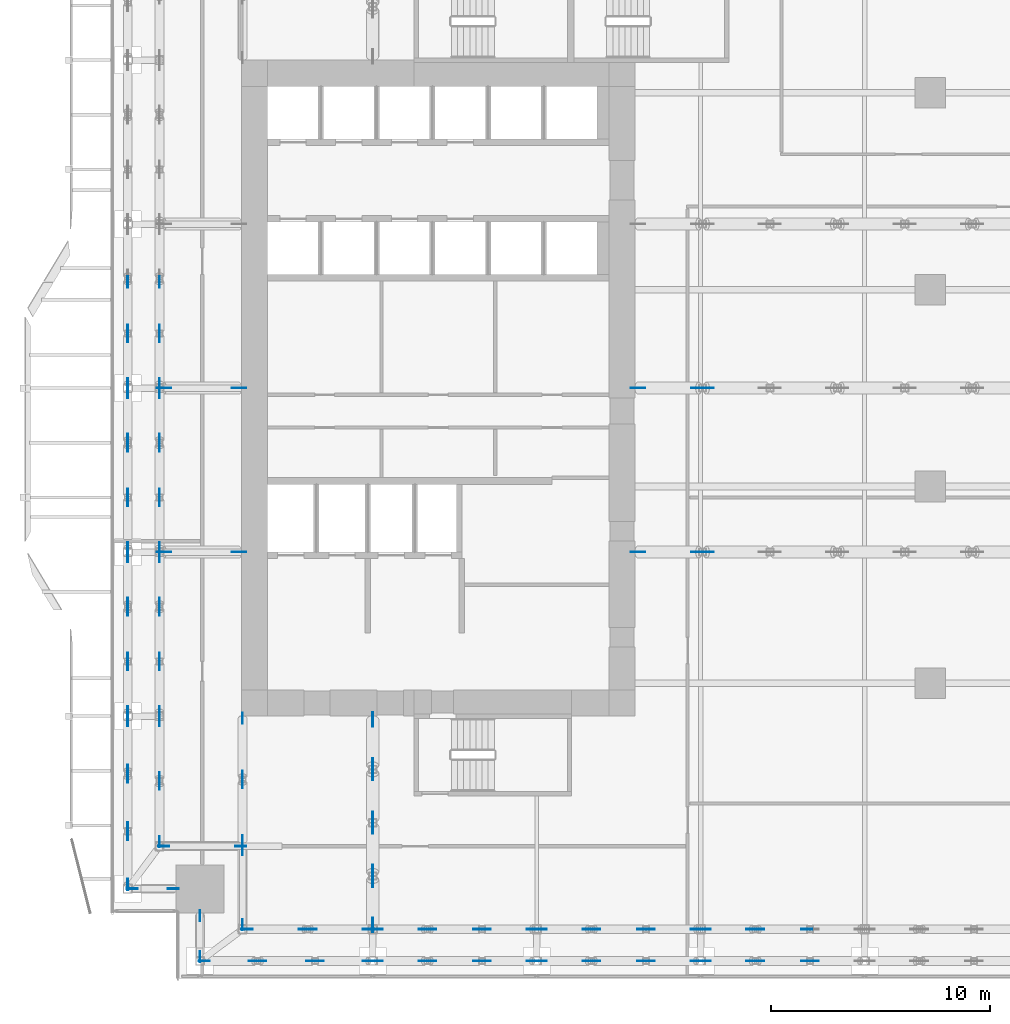
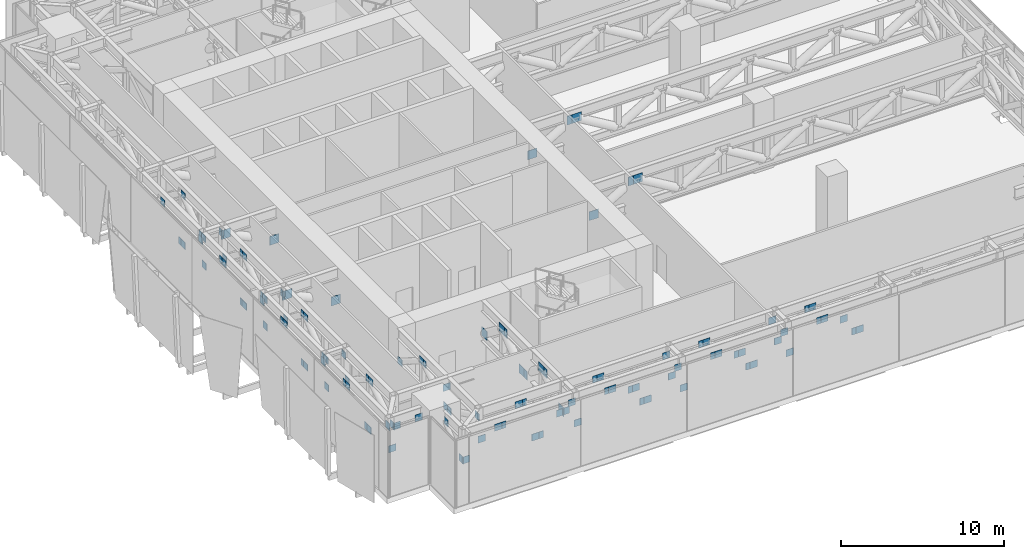
# One storey, part 34 of 39: 115 discrete accessories.
"""IFC4 building model written with IfcOpenShell, lengths in metres."""

from ifc_helpers import new_model, si_unit, direction, frame, origin, origin_2d, place, context, subcontext, project, spatial, rectangle, extrude, source, transform, mapped, material, layer, layer_set, type_object, element, save


model = new_model("IFC4")

# Units and contexts
model_context = context("Model", 3, precision=1e-05, world=origin(), true_north=direction((0.0, 1.0)))
body_context = subcontext(model_context, "Body", "Model", "MODEL_VIEW")
ifc_project = project(units=[si_unit("LENGTHUNIT", "METRE"), si_unit("AREAUNIT", "SQUARE_METRE"), si_unit("VOLUMEUNIT", "CUBIC_METRE"), si_unit("PLANEANGLEUNIT", "RADIAN"), si_unit("MASSUNIT", "GRAM", prefix="KILO")], contexts=[model_context])

# Site, building, storey
site_placement = place(None, origin())
site = spatial("IfcSite", under=ifc_project, at=site_placement, CompositionType="ELEMENT")
building_placement = place(site_placement, origin())
building = spatial("IfcBuilding", under=site, at=building_placement, Name="Khomas Fold Tower", CompositionType="ELEMENT")
storey_placement = place(building_placement, frame((0.0, 0.0, 96.0)))
storey = spatial("IfcBuildingStorey", under=building, at=storey_placement, Name="L20", CompositionType="ELEMENT", Elevation=96.0)

# Discrete accessories
ifc_material_1 = material(Name="Steel S355", Category="steel")
ifc_layer_1 = layer(ifc_material_1, 0.030029296875)
ifc_layer_set_1 = layer_set([ifc_layer_1], Name="Steel S355")
discrete_accessory_type_1 = type_object("IfcDiscreteAccessoryType", Name="Gusset plate 30 x 510 GP3", PredefinedType="BRACKET", material=ifc_layer_set_1)
shared_shape_1 = source(origin(), body_context, "Body", "SweptSolid", [
    extrude(rectangle(XDim=0.510009765625, YDim=0.030029296875, at=origin_2d()), origin(), (0.0, 0.0, 1.0), 0.510009765625),
])
for number, where, z_axis, x_axis, name in (
    (1, (0.800048828125, 4.300048828125, 4.14990234375), (0.0, 0.0, 1.0), (0.0, 1.0, 0.0), "Gusset plate BT1-D"),
    (2, (0.800048828125, 6.583251953125, 2.490234375), (0.0, 0.0, 1.0), (0.0, 1.0, 0.0), "Gusset plate BT1-D"),
    (3, (0.800048828125, 6.88330078125, 2.490234375), (0.0, 0.0, 1.0), (0.0, 1.0, 0.0), "Gusset plate BT1-D"),
    (4, (0.800048828125, 9.216552734375, 4.14990234375), (0.0, 0.0, 1.0), (0.0, 1.0, 0.0), "Gusset plate BT1-D"),
    (5, (0.800048828125, 9.5166015625, 4.14990234375), (0.0, 0.0, 1.0), (0.0, 1.0, 0.0), "Gusset plate BT1-D"),
    (6, (0.800048828125, 11.800048828125, 2.490234375), (0.0, 0.0, 1.0), (0.0, 1.0, 0.0), "Gusset plate BT1-D"),
    (7, (0.800048828125, 12.199951171875, 4.14990234375), (0.0, 0.0, 1.0), (0.0, 1.0, 0.0), "Gusset plate BT1-D"),
    (8, (0.800048828125, 14.35009765625, 2.490234375), (0.0, 0.0, 1.0), (0.0, 1.0, 0.0), "Gusset plate BT1-D"),
    (9, (0.800048828125, 14.64990234375, 2.490234375), (0.0, 0.0, 1.0), (0.0, 1.0, 0.0), "Gusset plate BT1-D"),
    (10, (0.800048828125, 16.85009765625, 4.14990234375), (0.0, 0.0, 1.0), (0.0, 1.0, 0.0), "Gusset plate BT1-D"),
    (11, (0.800048828125, 17.14990234375, 4.14990234375), (0.0, 0.0, 1.0), (0.0, 1.0, 0.0), "Gusset plate BT1-D"),
    (12, (0.800048828125, 19.300048828125, 2.490234375), (0.0, 0.0, 1.0), (0.0, 1.0, 0.0), "Gusset plate BT1-D"),
    (13, (0.800048828125, 19.699951171875, 4.14990234375), (0.0, 0.0, 1.0), (0.0, 1.0, 0.0), "Gusset plate BT1-D"),
    (14, (0.800048828125, 21.85009765625, 2.490234375), (0.0, 0.0, 1.0), (0.0, 1.0, 0.0), "Gusset plate BT1-D"),
    (15, (0.800048828125, 22.14990234375, 2.490234375), (0.0, 0.0, 1.0), (0.0, 1.0, 0.0), "Gusset plate BT1-D"),
    (16, (0.800048828125, 24.35009765625, 4.14990234375), (0.0, 0.0, 1.0), (0.0, 1.0, 0.0), "Gusset plate BT1-D"),
    (17, (0.800048828125, 24.64990234375, 4.14990234375), (0.0, 0.0, 1.0), (0.0, 1.0, 0.0), "Gusset plate BT1-D"),
    (18, (0.800048828125, 26.800048828125, 2.490234375), (0.0, 0.0, 1.0), (0.0, 1.0, 0.0), "Gusset plate BT1-D"),
    (19, (0.800048828125, 27.199951171875, 4.14990234375), (0.0, 0.0, 1.0), (0.0, 1.0, 0.0), "Gusset plate BT1-D"),
    (20, (0.800048828125, 29.35009765625, 2.490234375), (0.0, 0.0, 1.0), (0.0, 1.0, 0.0), "Gusset plate BT1-D"),
    (21, (0.800048828125, 29.64990234375, 2.490234375), (0.0, 0.0, 1.0), (0.0, 1.0, 0.0), "Gusset plate BT1-D"),
    (22, (0.800048828125, 31.85009765625, 4.14990234375), (0.0, 0.0, 1.0), (0.0, 1.0, 0.0), "Gusset plate BT1-D"),
    (23, (1.0, 4.10009765625, 2.490234375), (0.0, 0.0, 1.0), (1.0, 0.0, 0.0), "Gusset plate BT1-D"),
    (24, (2.25, 6.25, 2.490234375), (0.0, 0.0, 1.0), (0.0, 1.0, 0.0), "Gusset plate BT1-D"),
    (25, (2.25, 8.875, 4.14990234375), (0.0, 0.0, 1.0), (0.0, 1.0, 0.0), "Gusset plate BT1-D"),
    (26, (2.25, 9.175048828125, 4.14990234375), (0.0, 0.0, 1.0), (0.0, 1.0, 0.0), "Gusset plate BT1-D"),
    (27, (2.25, 11.800048828125, 2.490234375), (0.0, 0.0, 1.0), (0.0, 1.0, 0.0), "Gusset plate BT1-D"),
    (28, (2.25, 12.199951171875, 4.14990234375), (0.0, 0.0, 1.0), (0.0, 1.0, 0.0), "Gusset plate BT1-D"),
    (29, (2.25, 14.35009765625, 2.490234375), (0.0, 0.0, 1.0), (0.0, 1.0, 0.0), "Gusset plate BT1-D"),
    (30, (2.25, 14.64990234375, 2.490234375), (0.0, 0.0, 1.0), (0.0, 1.0, 0.0), "Gusset plate BT1-D"),
    (31, (2.25, 16.85009765625, 4.14990234375), (0.0, 0.0, 1.0), (0.0, 1.0, 0.0), "Gusset plate BT1-D"),
    (32, (2.25, 17.14990234375, 4.14990234375), (0.0, 0.0, 1.0), (0.0, 1.0, 0.0), "Gusset plate BT1-D"),
    (33, (2.25, 19.300048828125, 2.490234375), (0.0, 0.0, 1.0), (0.0, 1.0, 0.0), "Gusset plate BT1-D"),
    (34, (2.25, 19.699951171875, 4.14990234375), (0.0, 0.0, 1.0), (0.0, 1.0, 0.0), "Gusset plate BT1-D"),
    (35, (2.25, 21.85009765625, 2.490234375), (0.0, 0.0, 1.0), (0.0, 1.0, 0.0), "Gusset plate BT1-D"),
    (36, (2.25, 22.14990234375, 2.490234375), (0.0, 0.0, 1.0), (0.0, 1.0, 0.0), "Gusset plate BT1-D"),
    (37, (2.25, 24.35009765625, 4.14990234375), (0.0, 0.0, 1.0), (0.0, 1.0, 0.0), "Gusset plate BT1-D"),
    (38, (2.25, 24.64990234375, 4.14990234375), (0.0, 0.0, 1.0), (0.0, 1.0, 0.0), "Gusset plate BT1-D"),
    (39, (2.25, 26.800048828125, 2.490234375), (0.0, 0.0, 1.0), (0.0, 1.0, 0.0), "Gusset plate BT1-D"),
    (40, (2.25, 27.199951171875, 4.14990234375), (0.0, 0.0, 1.0), (0.0, 1.0, 0.0), "Gusset plate BT1-D"),
    (41, (2.25, 29.35009765625, 2.490234375), (0.0, 0.0, 1.0), (0.0, 1.0, 0.0), "Gusset plate BT1-D"),
    (42, (2.25, 29.64990234375, 2.490234375), (0.0, 0.0, 1.0), (0.0, 1.0, 0.0), "Gusset plate BT1-D"),
    (43, (2.25, 31.85009765625, 4.14990234375), (0.0, 0.0, 1.0), (0.0, 1.0, 0.0), "Gusset plate BT1-D"),
    (44, (2.449951171875, 6.050048828125, 2.490234375), (0.0, 0.0, 1.0), (1.0, 0.0, 0.0), "Gusset plate BT1-DL"),
    (45, (2.87060546875, 4.10009765625, 4.14990234375), (0.0, 0.0, 1.0), (1.0, 0.0, 0.0), "Gusset plate BT1-D"),
    (46, (4.10009765625, 1.0, 2.490234375), (0.0, 0.0, 1.0), (0.0, 1.0, 0.0), "Gusset plate BT1-D"),
    (47, (4.10009765625, 2.87060546875, 4.14990234375), (0.0, 0.0, 1.0), (0.0, 1.0, 0.0), "Gusset plate BT1-D"),
    (48, (4.300048828125, 0.800048828125, 2.490234375), (0.0, 0.0, 1.0), (1.0, 0.0, 0.0), "Gusset plate BT1-D"),
    (49, (5.96533203125, 6.050048828125, 4.14990234375), (0.0, 0.0, 1.0), (1.0, 0.0, 0.0), "Gusset plate BT1-DL"),
    (50, (6.050048828125, 2.449951171875, 4.14990234375), (0.0, 0.0, 1.0), (0.0, 1.0, 0.0), "Gusset plate BT1-DL"),
    (51, (6.050048828125, 5.89990234375, 2.490234375), (0.0, 0.0, 1.0), (0.0, 1.0, 0.0), "Gusset plate BT1-DL"),
    (52, (6.050048828125, 6.304443359375, 2.490234375), (0.0, 0.0, 1.0), (0.0, 1.0, 0.0), "Gusset plate BT1-D"),
    (53, (6.050048828125, 8.949951171875, 4.14990234375), (0.0, 0.0, 1.0), (0.0, 1.0, 0.0), "Gusset plate BT1-D"),
    (54, (6.050048828125, 9.25, 4.14990234375), (0.0, 0.0, 1.0), (0.0, 1.0, 0.0), "Gusset plate BT1-D"),
    (55, (6.050048828125, 11.8955078125, 2.490234375), (0.0, 0.0, 1.0), (0.0, 1.0, 0.0), "Gusset plate BT1-D"),
    (56, (6.25, 2.25, 2.490234375), (0.0, 0.0, 1.0), (1.0, 0.0, 0.0), "Gusset plate BT1-D"),
    (57, (6.583251953125, 0.800048828125, 4.14990234375), (0.0, 0.0, 1.0), (1.0, 0.0, 0.0), "Gusset plate BT1-D"),
    (58, (6.88330078125, 0.800048828125, 4.14990234375), (0.0, 0.0, 1.0), (1.0, 0.0, 0.0), "Gusset plate BT1-D"),
    (59, (8.875, 2.25, 4.14990234375), (0.0, 0.0, 1.0), (1.0, 0.0, 0.0), "Gusset plate BT1-D"),
    (60, (9.175048828125, 2.25, 4.14990234375), (0.0, 0.0, 1.0), (1.0, 0.0, 0.0), "Gusset plate BT1-D"),
    (61, (9.216552734375, 0.800048828125, 2.490234375), (0.0, 0.0, 1.0), (1.0, 0.0, 0.0), "Gusset plate BT1-D"),
    (62, (9.5166015625, 0.800048828125, 2.490234375), (0.0, 0.0, 1.0), (1.0, 0.0, 0.0), "Gusset plate BT1-D"),
    (63, (11.800048828125, 0.800048828125, 4.14990234375), (0.0, 0.0, 1.0), (1.0, 0.0, 0.0), "Gusset plate BT1-D"),
    (64, (11.800048828125, 2.25, 2.490234375), (0.0, 0.0, 1.0), (1.0, 0.0, 0.0), "Gusset plate BT1-D"),
    (65, (12.199951171875, 0.800048828125, 2.490234375), (0.0, 0.0, 1.0), (1.0, 0.0, 0.0), "Gusset plate BT1-D"),
    (66, (12.199951171875, 2.25, 2.490234375), (0.0, 0.0, 1.0), (1.0, 0.0, 0.0), "Gusset plate BT1-D"),
    (67, (14.35009765625, 0.800048828125, 4.14990234375), (0.0, 0.0, 1.0), (1.0, 0.0, 0.0), "Gusset plate BT1-D"),
    (68, (14.35009765625, 2.25, 4.14990234375), (0.0, 0.0, 1.0), (1.0, 0.0, 0.0), "Gusset plate BT1-D"),
    (69, (14.64990234375, 0.800048828125, 4.14990234375), (0.0, 0.0, 1.0), (1.0, 0.0, 0.0), "Gusset plate BT1-D"),
    (70, (14.64990234375, 2.25, 4.14990234375), (0.0, 0.0, 1.0), (1.0, 0.0, 0.0), "Gusset plate BT1-D"),
    (71, (16.85009765625, 0.800048828125, 2.490234375), (0.0, 0.0, 1.0), (1.0, 0.0, 0.0), "Gusset plate BT1-D"),
    (72, (16.85009765625, 2.25, 2.490234375), (0.0, 0.0, 1.0), (1.0, 0.0, 0.0), "Gusset plate BT1-D"),
    (73, (17.14990234375, 0.800048828125, 2.490234375), (0.0, 0.0, 1.0), (1.0, 0.0, 0.0), "Gusset plate BT1-D"),
    (74, (17.14990234375, 2.25, 2.490234375), (0.0, 0.0, 1.0), (1.0, 0.0, 0.0), "Gusset plate BT1-D"),
    (75, (19.300048828125, 0.800048828125, 4.14990234375), (0.0, 0.0, 1.0), (1.0, 0.0, 0.0), "Gusset plate BT1-D"),
    (76, (19.300048828125, 2.25, 4.14990234375), (0.0, 0.0, 1.0), (1.0, 0.0, 0.0), "Gusset plate BT1-D"),
    (77, (19.699951171875, 0.800048828125, 2.490234375), (0.0, 0.0, 1.0), (1.0, 0.0, 0.0), "Gusset plate BT1-D"),
    (78, (19.699951171875, 2.25, 2.490234375), (0.0, 0.0, 1.0), (1.0, 0.0, 0.0), "Gusset plate BT1-D"),
    (79, (21.85009765625, 0.800048828125, 4.14990234375), (0.0, 0.0, 1.0), (1.0, 0.0, 0.0), "Gusset plate BT1-D"),
    (80, (21.85009765625, 2.25, 4.14990234375), (0.0, 0.0, 1.0), (1.0, 0.0, 0.0), "Gusset plate BT1-D"),
    (81, (22.14990234375, 0.800048828125, 4.14990234375), (0.0, 0.0, 1.0), (1.0, 0.0, 0.0), "Gusset plate BT1-D"),
    (82, (22.14990234375, 2.25, 4.14990234375), (0.0, 0.0, 1.0), (1.0, 0.0, 0.0), "Gusset plate BT1-D"),
    (83, (24.35009765625, 0.800048828125, 2.490234375), (0.0, 0.0, 1.0), (1.0, 0.0, 0.0), "Gusset plate BT1-D"),
    (84, (24.35009765625, 2.25, 2.490234375), (0.0, 0.0, 1.0), (1.0, 0.0, 0.0), "Gusset plate BT1-D"),
    (85, (24.64990234375, 0.800048828125, 2.490234375), (0.0, 0.0, 1.0), (1.0, 0.0, 0.0), "Gusset plate BT1-D"),
    (86, (24.64990234375, 2.25, 2.490234375), (0.0, 0.0, 1.0), (1.0, 0.0, 0.0), "Gusset plate BT1-D"),
    (87, (26.800048828125, 0.800048828125, 4.14990234375), (0.0, 0.0, 1.0), (1.0, 0.0, 0.0), "Gusset plate BT1-D"),
    (88, (26.800048828125, 2.25, 4.14990234375), (0.0, 0.0, 1.0), (1.0, 0.0, 0.0), "Gusset plate BT1-D"),
    (89, (27.199951171875, 0.800048828125, 2.490234375), (0.0, 0.0, 1.0), (1.0, 0.0, 0.0), "Gusset plate BT1-D"),
    (90, (27.199951171875, 2.25, 2.490234375), (0.0, 0.0, 1.0), (1.0, 0.0, 0.0), "Gusset plate BT1-D"),
    (91, (29.35009765625, 0.800048828125, 4.14990234375), (0.0, 0.0, 1.0), (1.0, 0.0, 0.0), "Gusset plate BT1-D"),
    (92, (29.35009765625, 2.25, 4.14990234375), (0.0, 0.0, 1.0), (1.0, 0.0, 0.0), "Gusset plate BT1-D"),
    (93, (29.64990234375, 0.800048828125, 4.14990234375), (0.0, 0.0, 1.0), (1.0, 0.0, 0.0), "Gusset plate BT1-D"),
    (94, (29.64990234375, 2.25, 4.14990234375), (0.0, 0.0, 1.0), (1.0, 0.0, 0.0), "Gusset plate BT1-D"),
    (95, (31.85009765625, 0.800048828125, 2.490234375), (0.0, 0.0, 1.0), (1.0, 0.0, 0.0), "Gusset plate BT1-D"),
    (96, (31.85009765625, 2.25, 2.490234375), (0.0, 0.0, 1.0), (1.0, 0.0, 0.0), "Gusset plate BT1-D"),
    (97, (32.14990234375, 0.800048828125, 2.490234375), (0.0, 0.0, 1.0), (1.0, 0.0, 0.0), "Gusset plate BT1-D"),
):
    element("IfcDiscreteAccessory", number, at=place(storey_placement, frame(where, z_axis=z_axis, x_axis=x_axis)), inside=storey, type_object=discrete_accessory_type_1, Name=name, PredefinedType="BRACKET", context=body_context, shape_type="MappedRepresentation", body=[
        mapped(shared_shape_1, transform((0.0, 0.0, 0.0))),
    ])
ifc_material_2 = material(Name="Steel S355", Category="steel")
ifc_layer_2 = layer(ifc_material_2, 0.030029296875)
ifc_layer_set_2 = layer_set([ifc_layer_2], Name="Steel S355")
discrete_accessory_type_2 = type_object("IfcDiscreteAccessoryType", Name="Gusset plate 30 x 660 GP4", PredefinedType="BRACKET", material=ifc_layer_set_2)
shared_shape_2 = source(origin(), body_context, "Body", "SweptSolid", [
    extrude(rectangle(XDim=0.659912109375, YDim=0.030029296875, at=origin_2d()), origin(), (0.0, 0.0, 1.0), 0.659912109375),
])
for number, where, z_axis, x_axis, name in (
    (98, (2.449951171875, 19.5, 4.06103515625), (0.0, 0.0, 1.0), (1.0, 0.0, 0.0), "Gusset plate OR1-D"),
    (99, (2.449951171875, 27.0, 4.06103515625), (0.0, 0.0, 1.0), (1.0, 0.0, 0.0), "Gusset plate OR1-D"),
    (100, (5.88427734375, 19.5, 2.43505859375), (0.0, 0.0, 1.0), (1.0, 0.0, 0.0), "Gusset plate OR1-D"),
    (101, (5.88427734375, 27.0, 2.43505859375), (0.0, 0.0, 1.0), (1.0, 0.0, 0.0), "Gusset plate OR1-D"),
    (102, (12.0, 2.449951171875, 2.43505859375), (0.0, 0.0, 1.0), (0.0, 1.0, 0.0), "Gusset plate OR1-D"),
    (103, (12.0, 4.512451171875, 4.06103515625), (0.0, 0.0, 1.0), (0.0, 1.0, 0.0), "Gusset plate OR1-D"),
    (104, (12.0, 4.862548828125, 4.06103515625), (0.0, 0.0, 1.0), (0.0, 1.0, 0.0), "Gusset plate OR1-D"),
    (105, (12.0, 6.949951171875, 2.43505859375), (0.0, 0.0, 1.0), (0.0, 1.0, 0.0), "Gusset plate OR1-D"),
    (106, (12.0, 7.300048828125, 2.43505859375), (0.0, 0.0, 1.0), (0.0, 1.0, 0.0), "Gusset plate OR1-D"),
    (107, (12.0, 9.387451171875, 4.06103515625), (0.0, 0.0, 1.0), (0.0, 1.0, 0.0), "Gusset plate OR1-D"),
    (108, (12.0, 9.737548828125, 4.06103515625), (0.0, 0.0, 1.0), (0.0, 1.0, 0.0), "Gusset plate OR1-D"),
    (109, (12.0, 11.837646484375, 2.43505859375), (0.0, 0.0, 1.0), (0.0, 1.0, 0.0), "Gusset plate OR1-D"),
    (110, (24.1357421875, 19.5, 2.43505859375), (0.0, 0.0, 1.0), (1.0, 0.0, 0.0), "Gusset plate OR1-D"),
    (111, (24.1357421875, 27.0, 2.43505859375), (0.0, 0.0, 1.0), (1.0, 0.0, 0.0), "Gusset plate OR1-D"),
    (112, (26.908447265625, 19.5, 4.06103515625), (0.0, 0.0, 1.0), (1.0, 0.0, 0.0), "Gusset plate OR1-D"),
    (113, (26.908447265625, 27.0, 4.06103515625), (0.0, 0.0, 1.0), (1.0, 0.0, 0.0), "Gusset plate OR1-D"),
    (114, (27.25830078125, 19.5, 4.06103515625), (0.0, 0.0, 1.0), (1.0, 0.0, 0.0), "Gusset plate OR1-D"),
    (115, (27.25830078125, 27.0, 4.06103515625), (0.0, 0.0, 1.0), (1.0, 0.0, 0.0), "Gusset plate OR1-D"),
):
    element("IfcDiscreteAccessory", number, at=place(storey_placement, frame(where, z_axis=z_axis, x_axis=x_axis)), inside=storey, type_object=discrete_accessory_type_2, Name=name, PredefinedType="BRACKET", context=body_context, shape_type="MappedRepresentation", body=[
        mapped(shared_shape_2, transform((0.0, 0.0, 0.0))),
    ])

save(model, "model.ifc")
